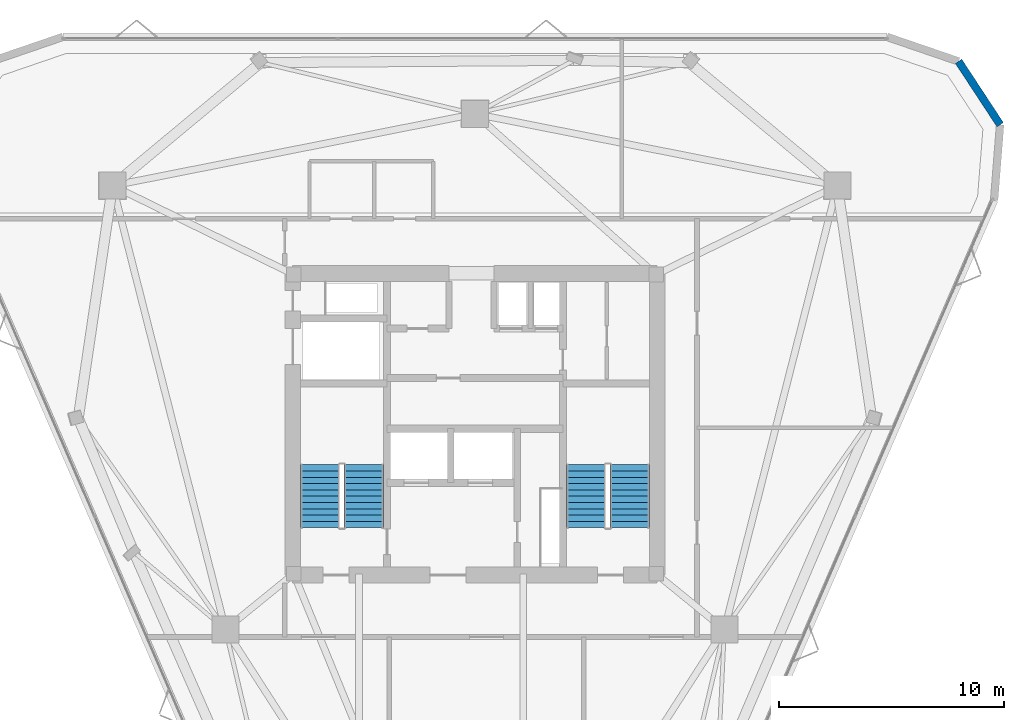
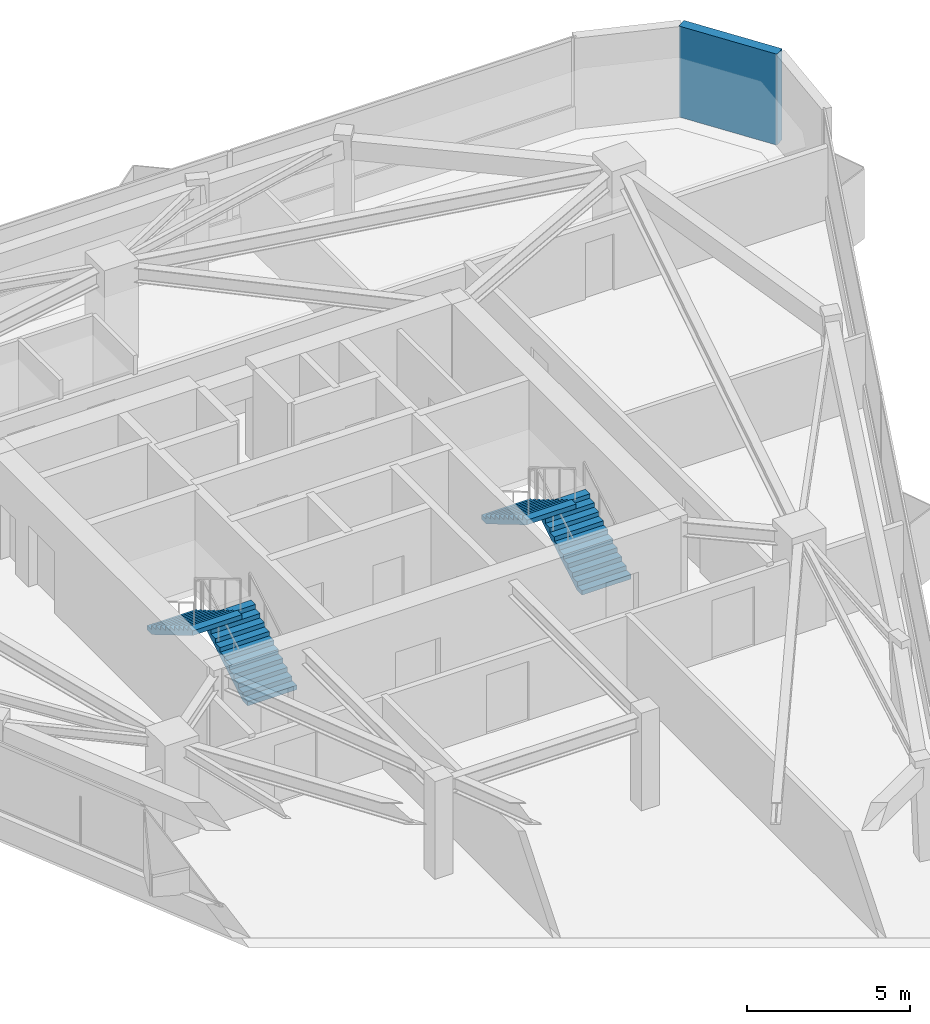
# One storey, part 10 of 12: 4 stair flights, 1 wall, 2 elements without a shape of their own.
"""IFC4 building model written with IfcOpenShell, lengths in metres."""

from ifc_helpers import new_model, si_unit, direction, frame, frame_2d, origin, place, context, subcontext, project, spatial, polyline, rectangle, outline, extrude, material, layer, layer_set, type_object, element, aggregate, save


model = new_model("IFC4")

# Units and contexts
model_context = context("Model", 3, precision=1e-05, world=origin(), true_north=direction((0.0, 1.0)))
body_context = subcontext(model_context, "Body", "Model", "MODEL_VIEW")
ifc_project = project(units=[si_unit("LENGTHUNIT", "METRE"), si_unit("AREAUNIT", "SQUARE_METRE"), si_unit("VOLUMEUNIT", "CUBIC_METRE"), si_unit("PLANEANGLEUNIT", "RADIAN"), si_unit("MASSUNIT", "GRAM", prefix="KILO")], contexts=[model_context])

# Site, building, storey
site_placement = place(None, origin())
site = spatial("IfcSite", under=ifc_project, at=site_placement, CompositionType="ELEMENT")
building_placement = place(site_placement, origin())
building = spatial("IfcBuilding", under=site, at=building_placement, Name="Talyreon Biosciences Tower", CompositionType="ELEMENT")
storey_placement = place(building_placement, frame((0.0, 0.0, 246.199951171875)))
storey = spatial("IfcBuildingStorey", under=building, at=storey_placement, Name="L65", CompositionType="ELEMENT", Elevation=246.199951171875)

# Wall
ifc_material_1 = material(Name="Precast concrete C45/55", Category="concrete")
ifc_layer = layer(ifc_material_1, 0.340087890625)
ifc_layer_set = layer_set([ifc_layer], Name="Precast concrete C45/55")
wall_type = type_object("IfcWallType", Name="PrecastConcreteSpandrelWall_340", PredefinedType="STANDARD", material=ifc_layer_set)
wall_placement = place(storey_placement, frame((87.491455078125, 84.126220703125, 0.0), z_axis=(0.0, 0.0, 1.0), x_axis=(0.548851092281, -0.835920138831, 0.0)))
element("IfcWall", 1, at=wall_placement, inside=storey, type_object=wall_type, Name="L65 Rounded-Corner Concrete Pier 06", PredefinedType="STANDARD", context=body_context, shape_type="SweptSolid", body=[
    extrude(rectangle(XDim=3.36962890625, YDim=0.340087890625, at=frame_2d((1.684814453125, 0.0))), origin(), (0.0, 0.0, 1.0), 3.400146484375),
])

# Stair, stair flights
ifc_material_2 = material(Name="Concrete C40/50", Category="concrete")
stair_type = type_object("IfcStairType", Name="DoglegEscapeStair_3650", PredefinedType="HALF_TURN_STAIR", material=ifc_material_2)
stair_1_placement = place(storey_placement, origin())
stair_1 = element("IfcStair", 2, at=stair_1_placement, inside=storey, type_object=stair_type, Name="L65 Core Escape Stair 1", PredefinedType="HALF_TURN_STAIR")
stair_flight_type = type_object("IfcStairFlightType", Name="PrecastStairFlight_3650", PredefinedType="STRAIGHT", material=ifc_material_2)
stair_flight_1_placement = place(storey_placement, frame((61.06005859375, 63.39990234375, 0.0), z_axis=(0.0, 0.0, 1.0), x_axis=(0.0, 1.0, 0.0)))
stair_flight_1 = element("IfcStairFlight", 3, at=stair_flight_1_placement, type_object=stair_flight_type, Name="ST-1 flight 1", NumberOfRisers=11, NumberOfTreads=10, PredefinedType="STRAIGHT", RiserHeight=0.165909091, TreadLength=0.28, context=body_context, shape_type="SweptSolid", body=[
    extrude(outline(polyline([(0.0, 0.0), (0.0, 0.166015625), (0.280029296875, 0.166015625), (0.280029296875, 0.331787109375), (0.56005859375, 0.331787109375), (0.56005859375, 0.497802734375), (0.840087890625, 0.497802734375), (0.840087890625, 0.66357421875), (1.1201171875, 0.66357421875), (1.1201171875, 0.82958984375), (1.39990234375, 0.82958984375), (1.39990234375, 0.995361328125), (1.679931640625, 0.995361328125), (1.679931640625, 1.161376953125), (1.9599609375, 1.161376953125), (1.9599609375, 1.327392578125), (2.239990234375, 1.327392578125), (2.239990234375, 1.4931640625), (2.52001953125, 1.4931640625), (2.52001953125, 1.6591796875), (2.800048828125, 1.6591796875), (2.800048828125, 1.824951171875), (2.800048828125, 1.48486328125), (0.2939453125, 0.0), (0.0, 0.0)])), frame((0.0, 0.8701171875, 0.0), z_axis=(0.0, -1.0, 0.0), x_axis=(1.0, 0.0, 0.0)), (0.0, 0.0, 1.0), 1.739990234375),
])
stair_flight_2_placement = place(storey_placement, frame((59.1201171875, 66.199951171875, 1.824951171875), z_axis=(0.0, 0.0, 1.0), x_axis=(0.0, -1.0, 0.0)))
stair_flight_2 = element("IfcStairFlight", 4, at=stair_flight_2_placement, type_object=stair_flight_type, Name="ST-1 flight 2", NumberOfRisers=11, NumberOfTreads=10, PredefinedType="STRAIGHT", RiserHeight=0.165909091, TreadLength=0.28, context=body_context, shape_type="SweptSolid", body=[
    extrude(outline(polyline([(0.0, 0.0), (0.0, 0.166015625), (0.280029296875, 0.166015625), (0.280029296875, 0.331787109375), (0.56005859375, 0.331787109375), (0.56005859375, 0.497802734375), (0.840087890625, 0.497802734375), (0.840087890625, 0.66357421875), (1.1201171875, 0.66357421875), (1.1201171875, 0.82958984375), (1.39990234375, 0.82958984375), (1.39990234375, 0.995361328125), (1.679931640625, 0.995361328125), (1.679931640625, 1.161376953125), (1.9599609375, 1.161376953125), (1.9599609375, 1.327392578125), (2.239990234375, 1.327392578125), (2.239990234375, 1.4931640625), (2.52001953125, 1.4931640625), (2.52001953125, 1.6591796875), (2.800048828125, 1.6591796875), (2.800048828125, 1.824951171875), (2.800048828125, 1.48486328125), (0.2939453125, 0.0), (0.0, 0.0)])), frame((0.0, 0.8701171875, 0.0), z_axis=(0.0, -1.0, 0.0), x_axis=(1.0, 0.0, 0.0)), (0.0, 0.0, 1.0), 1.739990234375),
])
aggregate(stair_1, [stair_flight_1, stair_flight_2])

stair_2_placement = place(storey_placement, origin())
stair_2 = element("IfcStair", 5, at=stair_2_placement, inside=storey, type_object=stair_type, Name="L65 Core Escape Stair 2", PredefinedType="HALF_TURN_STAIR")
stair_flight_3_placement = place(storey_placement, frame((72.8798828125, 63.39990234375, 0.0), z_axis=(0.0, 0.0, 1.0), x_axis=(0.0, 1.0, 0.0)))
stair_flight_3 = element("IfcStairFlight", 6, at=stair_flight_3_placement, type_object=stair_flight_type, Name="ST-2 flight 1", NumberOfRisers=11, NumberOfTreads=10, PredefinedType="STRAIGHT", RiserHeight=0.165909091, TreadLength=0.28, context=body_context, shape_type="SweptSolid", body=[
    extrude(outline(polyline([(0.0, 0.0), (0.0, 0.166015625), (0.280029296875, 0.166015625), (0.280029296875, 0.331787109375), (0.56005859375, 0.331787109375), (0.56005859375, 0.497802734375), (0.840087890625, 0.497802734375), (0.840087890625, 0.66357421875), (1.1201171875, 0.66357421875), (1.1201171875, 0.82958984375), (1.39990234375, 0.82958984375), (1.39990234375, 0.995361328125), (1.679931640625, 0.995361328125), (1.679931640625, 1.161376953125), (1.9599609375, 1.161376953125), (1.9599609375, 1.327392578125), (2.239990234375, 1.327392578125), (2.239990234375, 1.4931640625), (2.52001953125, 1.4931640625), (2.52001953125, 1.6591796875), (2.800048828125, 1.6591796875), (2.800048828125, 1.824951171875), (2.800048828125, 1.48486328125), (0.2939453125, 0.0), (0.0, 0.0)])), frame((0.0, 0.8701171875, 0.0), z_axis=(0.0, -1.0, 0.0), x_axis=(1.0, 0.0, 0.0)), (0.0, 0.0, 1.0), 1.739990234375),
])
stair_flight_4_placement = place(storey_placement, frame((70.93994140625, 66.199951171875, 1.824951171875), z_axis=(0.0, 0.0, 1.0), x_axis=(0.0, -1.0, 0.0)))
stair_flight_4 = element("IfcStairFlight", 7, at=stair_flight_4_placement, type_object=stair_flight_type, Name="ST-2 flight 2", NumberOfRisers=11, NumberOfTreads=10, PredefinedType="STRAIGHT", RiserHeight=0.165909091, TreadLength=0.28, context=body_context, shape_type="SweptSolid", body=[
    extrude(outline(polyline([(0.0, 0.0), (0.0, 0.166015625), (0.280029296875, 0.166015625), (0.280029296875, 0.331787109375), (0.56005859375, 0.331787109375), (0.56005859375, 0.497802734375), (0.840087890625, 0.497802734375), (0.840087890625, 0.66357421875), (1.1201171875, 0.66357421875), (1.1201171875, 0.82958984375), (1.39990234375, 0.82958984375), (1.39990234375, 0.995361328125), (1.679931640625, 0.995361328125), (1.679931640625, 1.161376953125), (1.9599609375, 1.161376953125), (1.9599609375, 1.327392578125), (2.239990234375, 1.327392578125), (2.239990234375, 1.4931640625), (2.52001953125, 1.4931640625), (2.52001953125, 1.6591796875), (2.800048828125, 1.6591796875), (2.800048828125, 1.824951171875), (2.800048828125, 1.48486328125), (0.2939453125, 0.0), (0.0, 0.0)])), frame((0.0, 0.8701171875, 0.0), z_axis=(0.0, -1.0, 0.0), x_axis=(1.0, 0.0, 0.0)), (0.0, 0.0, 1.0), 1.739990234375),
])
aggregate(stair_2, [stair_flight_3, stair_flight_4])

save(model, "model.ifc")
